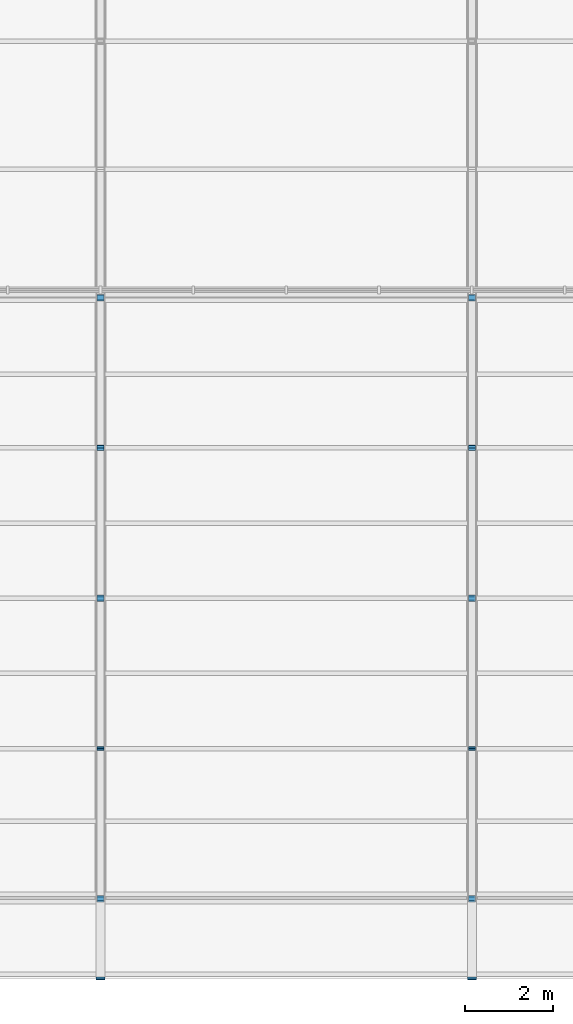
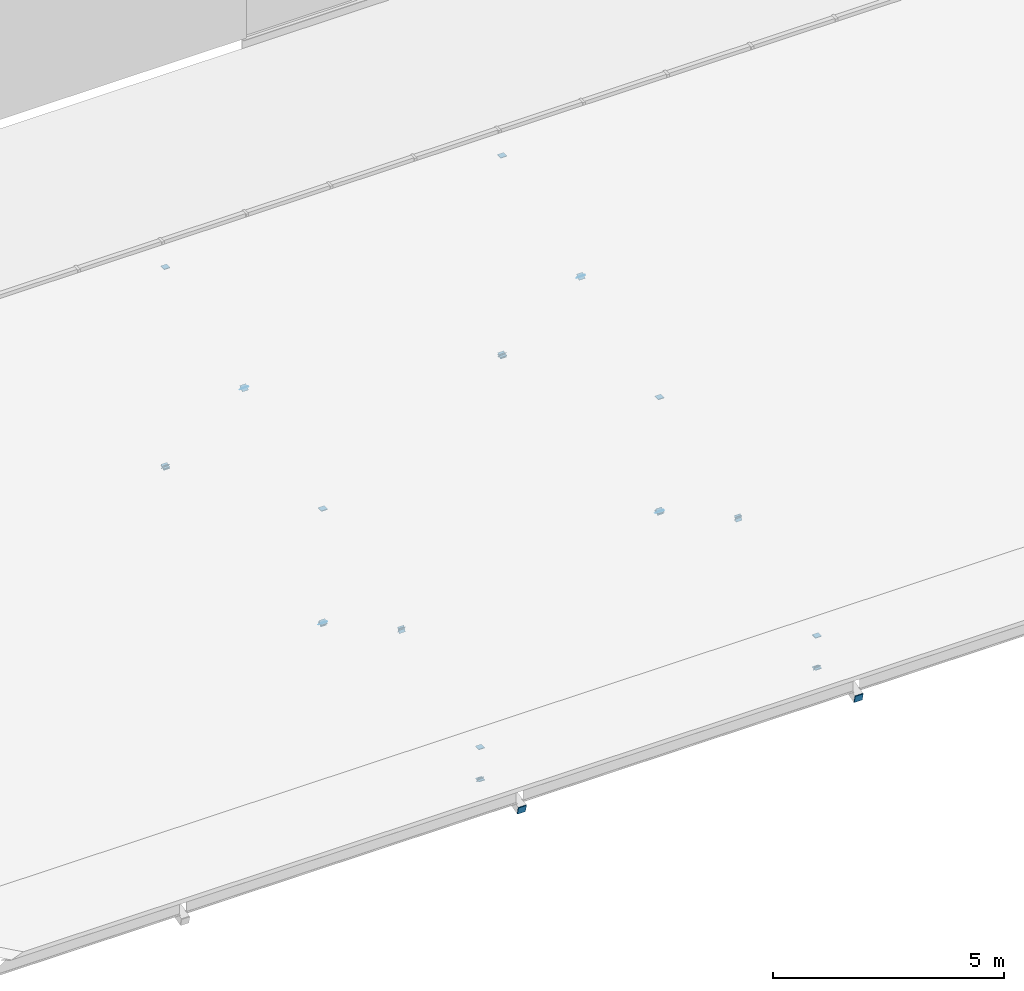
# One storey, part 67 of 89: 32 discrete accessories.
"""IFC4 building model written with IfcOpenShell, lengths in metres."""

from ifc_helpers import new_model, si_unit, direction, frame, origin, origin_2d, place, context, subcontext, project, spatial, rectangle, extrude, material, element, save


model = new_model("IFC4")

# Units and contexts
model_context = context("Model", 3, precision=1e-05, world=origin(), true_north=direction((0.0, 1.0)))
body_context = subcontext(model_context, "Body", "Model", "MODEL_VIEW")
ifc_project = project(units=[si_unit("LENGTHUNIT", "METRE"), si_unit("AREAUNIT", "SQUARE_METRE"), si_unit("VOLUMEUNIT", "CUBIC_METRE"), si_unit("PLANEANGLEUNIT", "RADIAN"), si_unit("MASSUNIT", "GRAM", prefix="KILO")], contexts=[model_context])

# Site, building, storey
site_placement = place(None, origin())
site = spatial("IfcSite", under=ifc_project, at=site_placement, CompositionType="ELEMENT")
building_placement = place(site_placement, origin())
building = spatial("IfcBuilding", under=site, at=building_placement, Name="Hlaing Beacon Police Headquarters", CompositionType="ELEMENT")
storey_placement = place(building_placement, frame((0.0, 0.0, 9.89990234375)))
storey = spatial("IfcBuildingStorey", under=building, at=storey_placement, Name="L02", CompositionType="ELEMENT", Elevation=9.89990234375)

# Discrete accessories
ifc_material = material(Name="Steel ASTM A572 Grade 50", Category="steel")
for number, where, z_axis, x_axis, name in (
    (1, (109.199951171875, 8.39990234375, -1.36474609375), (0.0, 0.0, -1.0), (1.0, 0.0, 0.0), "Gusset plate GP-571"),
    (2, (109.199951171875, 8.39990234375, -0.53369140625), (0.0, 0.0, 1.0), (1.0, 0.0, 0.0), "Gusset plate GP-572"),
    (3, (109.199951171875, 15.199951171875, -1.36474609375), (0.0, 0.0, -1.0), (1.0, 0.0, 0.0), "Gusset plate GP-573"),
    (4, (109.199951171875, 15.199951171875, 1.630859375), (0.0, 0.0, 1.0), (1.0, 0.0, 0.0), "Gusset plate GP-574"),
    (5, (109.199951171875, 22.0, -1.36474609375), (0.0, 0.0, -1.0), (1.0, 0.0, 0.0), "Gusset plate GP-575"),
    (6, (109.199951171875, 22.0, 3.880859375), (0.0, 0.0, 1.0), (1.0, 0.0, 0.0), "Gusset plate GP-576"),
):
    element("IfcDiscreteAccessory", number, at=place(storey_placement, frame(where, z_axis=z_axis, x_axis=x_axis)), inside=storey, material=ifc_material, Name=name, PredefinedType="BRACKET", context=body_context, shape_type="SweptSolid", body=[
        extrude(rectangle(XDim=0.15234375, YDim=0.15234375, at=origin_2d()), origin(), (0.0, 0.0, 1.0), 0.01611328125),
    ])
for number, where, z_axis, x_axis, name in (
    (7, (109.199951171875, 8.405029296875, -1.369873046875), (0.0, -0.874402972299, -0.485200414298), (1.0, 0.0, 0.0), "Gusset plate GP-581"),
    (8, (109.199951171875, 11.794677734375, 0.510986328125), (0.0, 0.874402972299, 0.485200414298), (-1.0, 0.0, 0.0), "Gusset plate GP-582"),
    (9, (109.199951171875, 11.80517578125, 0.510986328125), (0.0, -0.874388190335, 0.485227052629), (1.0, 0.0, 0.0), "Gusset plate GP-583"),
    (10, (109.199951171875, 15.19482421875, -1.369873046875), (0.0, 0.874388190335, -0.485227052629), (-1.0, 0.0, 0.0), "Gusset plate GP-584"),
    (11, (109.199951171875, 15.203857421875, -1.3681640625), (0.0, -0.634976630923, -0.772531344465), (1.0, 0.0, 0.0), "Gusset plate GP-585"),
    (12, (109.199951171875, 18.59619140625, 2.75927734375), (0.0, 0.634976630923, 0.772531344465), (-1.0, 0.0, 0.0), "Gusset plate GP-586"),
    (13, (109.199951171875, 18.60400390625, 2.75927734375), (0.0, -0.634949419501, 0.772553709897), (1.0, 0.0, 0.0), "Gusset plate GP-587"),
    (14, (109.199951171875, 21.99609375, -1.3681640625), (0.0, 0.634949419501, -0.772553709897), (-1.0, 0.0, 0.0), "Gusset plate GP-588"),
    (15, (109.199951171875, 22.004638671875, -1.369140625), (0.0, -0.789269916933, -0.614046413738), (1.0, 0.0, 0.0), "Gusset plate GP-589"),
):
    element("IfcDiscreteAccessory", number, at=place(storey_placement, frame(where, z_axis=z_axis, x_axis=x_axis)), inside=storey, material=ifc_material, Name=name, PredefinedType="BRACKET", context=body_context, shape_type="SweptSolid", body=[
        extrude(rectangle(XDim=0.15234375, YDim=0.15234375, at=origin_2d()), origin(), (0.0, 0.0, 1.0), 0.011962890625),
    ])
for number, where, z_axis, x_axis, name in (
    (16, (117.60009765625, 8.39990234375, -1.36474609375), (0.0, 0.0, -1.0), (1.0, 0.0, 0.0), "Gusset plate GP-597"),
    (17, (117.60009765625, 8.39990234375, -0.53369140625), (0.0, 0.0, 1.0), (1.0, 0.0, 0.0), "Gusset plate GP-598"),
    (18, (117.60009765625, 15.199951171875, -1.36474609375), (0.0, 0.0, -1.0), (1.0, 0.0, 0.0), "Gusset plate GP-599"),
    (19, (117.60009765625, 15.199951171875, 1.630859375), (0.0, 0.0, 1.0), (1.0, 0.0, 0.0), "Gusset plate GP-600"),
    (20, (117.60009765625, 22.0, -1.36474609375), (0.0, 0.0, -1.0), (1.0, 0.0, 0.0), "Gusset plate GP-601"),
    (21, (117.60009765625, 22.0, 3.880859375), (0.0, 0.0, 1.0), (1.0, 0.0, 0.0), "Gusset plate GP-602"),
):
    element("IfcDiscreteAccessory", number, at=place(storey_placement, frame(where, z_axis=z_axis, x_axis=x_axis)), inside=storey, material=ifc_material, Name=name, PredefinedType="BRACKET", context=body_context, shape_type="SweptSolid", body=[
        extrude(rectangle(XDim=0.15234375, YDim=0.15234375, at=origin_2d()), origin(), (0.0, 0.0, 1.0), 0.01611328125),
    ])
for number, where, z_axis, x_axis, name in (
    (22, (117.60009765625, 8.405029296875, -1.369873046875), (0.0, -0.874402972299, -0.485200414298), (1.0, 0.0, 0.0), "Gusset plate GP-607"),
    (23, (117.60009765625, 11.794677734375, 0.510986328125), (0.0, 0.874402972299, 0.485200414298), (-1.0, 0.0, 0.0), "Gusset plate GP-608"),
    (24, (117.60009765625, 11.80517578125, 0.510986328125), (0.0, -0.874388190335, 0.485227052629), (1.0, 0.0, 0.0), "Gusset plate GP-609"),
    (25, (117.60009765625, 15.19482421875, -1.369873046875), (0.0, 0.874388190335, -0.485227052629), (-1.0, 0.0, 0.0), "Gusset plate GP-610"),
    (26, (117.60009765625, 15.203857421875, -1.3681640625), (0.0, -0.634976630923, -0.772531344465), (1.0, 0.0, 0.0), "Gusset plate GP-611"),
    (27, (117.60009765625, 18.59619140625, 2.75927734375), (0.0, 0.634976630923, 0.772531344465), (-1.0, 0.0, 0.0), "Gusset plate GP-612"),
    (28, (117.60009765625, 18.60400390625, 2.75927734375), (0.0, -0.634949419501, 0.772553709897), (1.0, 0.0, 0.0), "Gusset plate GP-613"),
    (29, (117.60009765625, 21.99609375, -1.3681640625), (0.0, 0.634949419501, -0.772553709897), (-1.0, 0.0, 0.0), "Gusset plate GP-614"),
    (30, (117.60009765625, 22.004638671875, -1.369140625), (0.0, -0.789269916933, -0.614046413738), (1.0, 0.0, 0.0), "Gusset plate GP-615"),
):
    element("IfcDiscreteAccessory", number, at=place(storey_placement, frame(where, z_axis=z_axis, x_axis=x_axis)), inside=storey, material=ifc_material, Name=name, PredefinedType="BRACKET", context=body_context, shape_type="SweptSolid", body=[
        extrude(rectangle(XDim=0.15234375, YDim=0.15234375, at=origin_2d()), origin(), (0.0, 0.0, 1.0), 0.011962890625),
    ])
for number, where, z_axis, x_axis, name in (
    (31, (109.199951171875, 6.60986328125, -1.07763671875), (0.0, -0.966977619685, -0.254861301553), (1.0, 0.0, 0.0), "Chord end plate CE-012"),
    (32, (117.60009765625, 6.60986328125, -1.07763671875), (0.0, -0.966977619685, -0.254861301553), (1.0, 0.0, 0.0), "Chord end plate CE-013"),
):
    element("IfcDiscreteAccessory", number, at=place(storey_placement, frame(where, z_axis=z_axis, x_axis=x_axis)), inside=storey, material=ifc_material, Name=name, PredefinedType="BRACKET", context=body_context, shape_type="SweptSolid", body=[
        extrude(rectangle(XDim=0.203125, YDim=0.203125, at=origin_2d()), origin(), (0.0, 0.0, 1.0), 0.02001953125),
    ])

save(model, "model.ifc")
